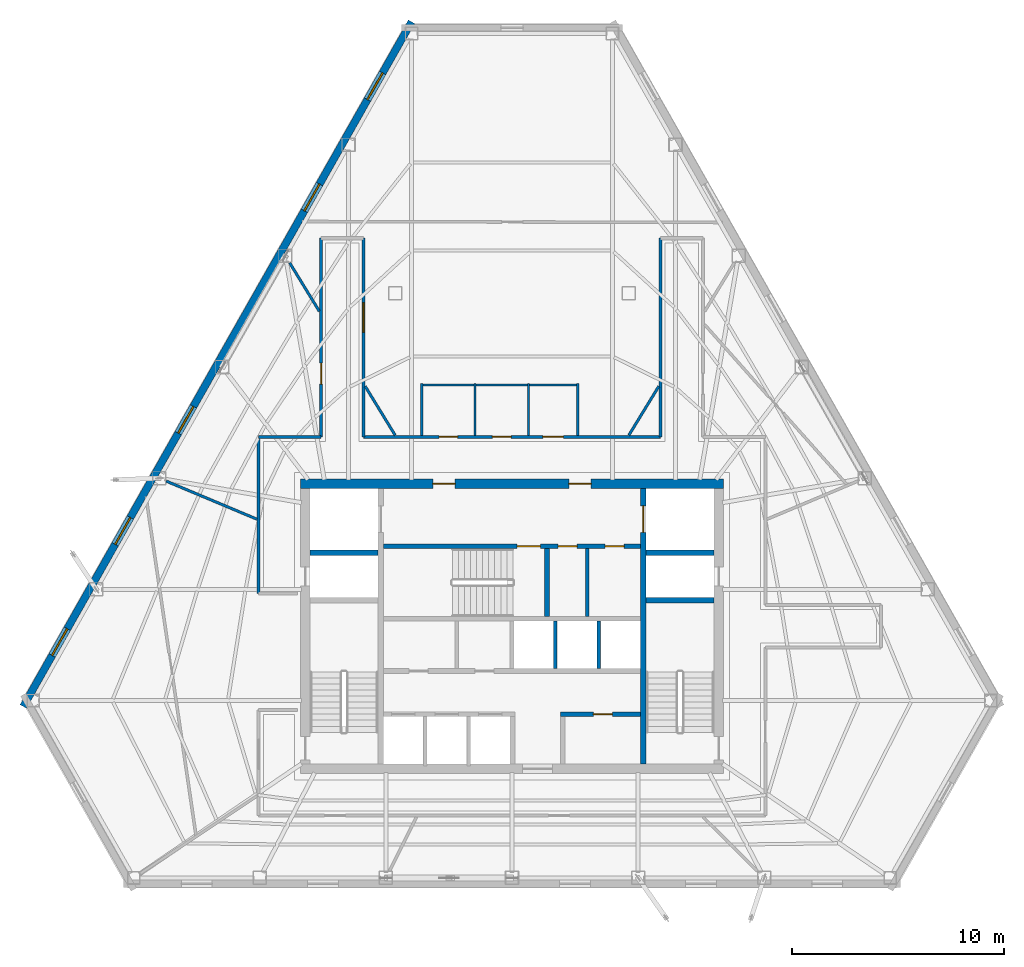
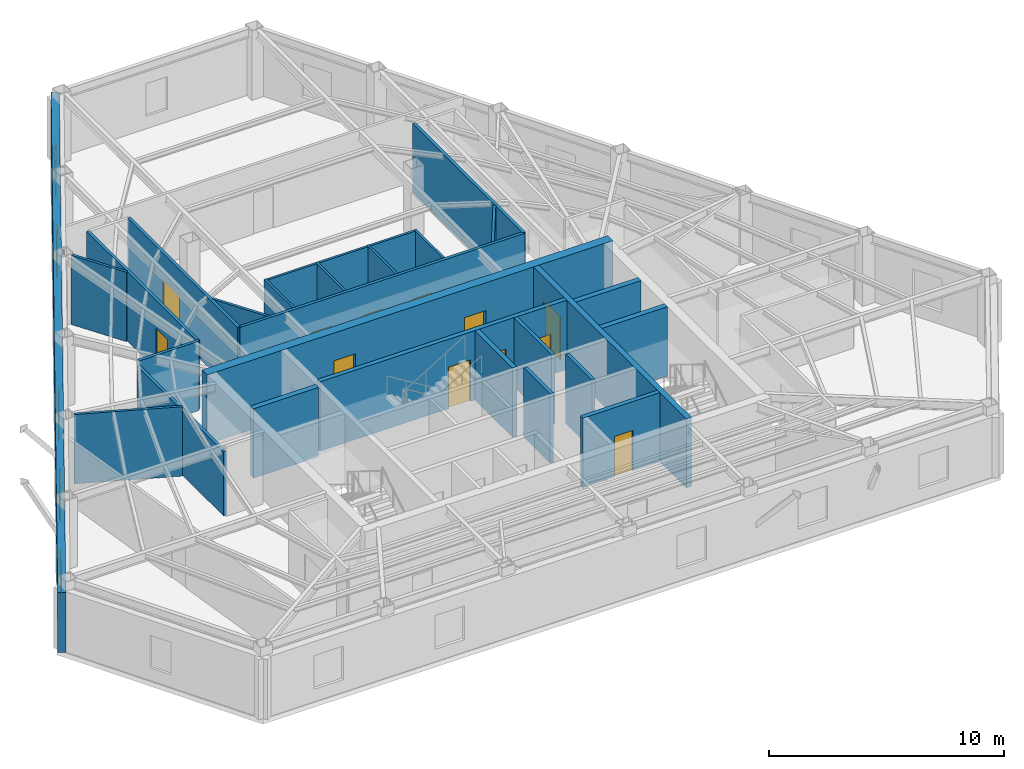
# One storey, part 8 of 11: 27 walls, 12 doors, 5 windows, 17 openings.
"""IFC4 building model written with IfcOpenShell, lengths in metres."""

from ifc_helpers import new_model, si_unit, direction, frame, frame_2d, origin, place, context, subcontext, project, spatial, rectangle, extrude, material, layer, layer_set, type_object, element, fill, save


model = new_model("IFC4")

# Units and contexts
model_context = context("Model", 3, precision=1e-05, world=origin(), true_north=direction((0.0, 1.0)))
body_context = subcontext(model_context, "Body", "Model", "MODEL_VIEW")
ifc_project = project(units=[si_unit("LENGTHUNIT", "METRE"), si_unit("AREAUNIT", "SQUARE_METRE"), si_unit("VOLUMEUNIT", "CUBIC_METRE"), si_unit("PLANEANGLEUNIT", "RADIAN"), si_unit("MASSUNIT", "GRAM", prefix="KILO")], contexts=[model_context])

# Site, building, storey
site_placement = place(None, origin())
site = spatial("IfcSite", under=ifc_project, at=site_placement, CompositionType="ELEMENT")
building_placement = place(site_placement, origin())
building = spatial("IfcBuilding", under=site, at=building_placement, Name="Kavelnor Concourse Tower", CompositionType="ELEMENT")
storey_placement = place(building_placement, frame((0.0, 0.0, 165.0)))
storey = spatial("IfcBuildingStorey", under=building, at=storey_placement, Name="L41", CompositionType="ELEMENT", Elevation=165.0)

# Wall, openings, doors
ifc_material_1 = material(Name="Concrete C50/60", Category="concrete")
ifc_layer_1 = layer(ifc_material_1, 0.43994140625, Name="Concrete C50/60")
ifc_layer_set_1 = layer_set([ifc_layer_1], Name="Concrete C50/60")
wall_type_1 = type_object("IfcWallType", Name="WL-CORE-Z3-440", PredefinedType="SOLIDWALL", material=ifc_layer_set_1)
wall_1_placement = place(storey_placement, frame((28.0400390625, 22.820068359375, 0.0), z_axis=(0.0, 0.0, 1.0), x_axis=(1.0, 0.0, 0.0)))
wall_1 = element("IfcWall", 1, at=wall_1_placement, inside=storey, type_object=wall_type_1, Name="L41 Central Core North Shear Wall", PredefinedType="SOLIDWALL", context=body_context, shape_type="SweptSolid", body=[
    extrude(rectangle(XDim=19.919921875, YDim=0.43994140625, at=frame_2d((9.9599609375, 0.0))), origin(), (0.0, 0.0, 1.0), 3.60009765625),
])
opening_1_placement = place(wall_1_placement, frame((6.235107421875, 0.0, 0.0)))
opening_1 = element("IfcOpeningElement", 2, at=opening_1_placement, cuts=wall_1, Name="Opening FD-105", PredefinedType="OPENING", context=body_context, shape_type="SweptSolid", body=[
    extrude(rectangle(XDim=1.050048828125, YDim=2.14990234375, at=frame_2d((0.52490234375, 1.074951171875))), frame((0.0, 0.22998046875, 0.0), z_axis=(0.0, -1.0, 0.0), x_axis=(1.0, 0.0, 0.0)), (0.0, 0.0, 1.0), 0.4599609375),
])
opening_2_placement = place(wall_1_placement, frame((12.635009765625, 0.0, 0.0)))
opening_2 = element("IfcOpeningElement", 3, at=opening_2_placement, cuts=wall_1, Name="Opening FD-105", PredefinedType="OPENING", context=body_context, shape_type="SweptSolid", body=[
    extrude(rectangle(XDim=1.050048828125, YDim=2.14990234375, at=frame_2d((0.52490234375, 1.074951171875))), frame((0.0, 0.22998046875, 0.0), z_axis=(0.0, -1.0, 0.0), x_axis=(1.0, 0.0, 0.0)), (0.0, 0.0, 1.0), 0.4599609375),
])
ifc_material_2 = material(Name="Steel Grade 350", Category="steel")
door_type_1 = type_object("IfcDoorType", Name="DR-LOBBY-FIRE-1050", OperationType="NOTDEFINED", PredefinedType="DOOR", material=ifc_material_2)
door_1_placement = place(opening_1_placement, origin())
door_1 = element("IfcDoor", 4, at=door_1_placement, inside=storey, type_object=door_type_1, Name="L41 Emergency Lift Lobby West Door", OperationType="SINGLE_SWING_LEFT", OverallHeight=2.14990234375, OverallWidth=1.050048828125, PredefinedType="DOOR", context=body_context, shape_type="SweptSolid", body=[
    extrude(rectangle(XDim=1.050048828125, YDim=2.14990234375, at=frame_2d((0.52490234375, 1.074951171875))), frame((0.0, 0.02490234375, 0.0), z_axis=(0.0, -1.0, 0.0), x_axis=(1.0, 0.0, 0.0)), (0.0, 0.0, 1.0), 0.050048828125),
])
fill(opening_1, door_1)
door_2_placement = place(opening_2_placement, origin())
door_2 = element("IfcDoor", 5, at=door_2_placement, inside=storey, type_object=door_type_1, Name="L41 Emergency Lift Lobby East Door", OperationType="SINGLE_SWING_RIGHT", OverallHeight=2.14990234375, OverallWidth=1.050048828125, PredefinedType="DOOR", context=body_context, shape_type="SweptSolid", body=[
    extrude(rectangle(XDim=1.050048828125, YDim=2.14990234375, at=frame_2d((0.52490234375, 1.074951171875))), frame((0.0, 0.02490234375, 0.0), z_axis=(0.0, -1.0, 0.0), x_axis=(1.0, 0.0, 0.0)), (0.0, 0.0, 1.0), 0.050048828125),
])
fill(opening_2, door_2)

# Wall, openings, windows
ifc_material_3 = material(Name="Red-ochre clay face brick masonry", Category="masonry")
ifc_layer_2 = layer(ifc_material_3, 0.35009765625, Name="Red-ochre clay face brick masonry")
ifc_layer_set_2 = layer_set([ifc_layer_2], Name="Red-ochre clay face brick masonry")
wall_type_2 = type_object("IfcWallType", Name="WL-EXT-RED-BRICK-PIER-350", PredefinedType="STANDARD", material=ifc_layer_set_2)
wall_2_placement = place(storey_placement, frame((14.964111328125, 12.319091796875, 0.0), z_axis=(0.0, 0.0, 1.0), x_axis=(0.493387150796, 0.869809817966, 0.0)))
wall_2 = element("IfcWall", 6, at=wall_2_placement, inside=storey, type_object=wall_type_2, Name="L41 Exterior Brick Facade Wall E1", PredefinedType="STANDARD", context=body_context, shape_type="SweptSolid", body=[
    extrude(rectangle(XDim=37.095703125, YDim=0.35009765625, at=frame_2d((18.5478515625, 0.0))), origin(), (0.0, 0.0, 1.0), 3.132080078125),
])
opening_3_placement = place(wall_2_placement, frame((32.87939453125, 0.0, 0.64990234375)))
opening_3 = element("IfcOpeningElement", 7, at=opening_3_placement, cuts=wall_2, Name="Opening W-03", PredefinedType="OPENING", context=body_context, shape_type="SweptSolid", body=[
    extrude(rectangle(XDim=1.449951171875, YDim=1.75, at=frame_2d((0.72509765625, 0.875))), frame((0.0, 0.18505859375, 0.0), z_axis=(0.0, -1.0, 0.0), x_axis=(1.0, 0.0, 0.0)), (0.0, 0.0, 1.0), 0.3701171875),
])
opening_4_placement = place(wall_2_placement, frame((26.855224609375, 0.0, 0.64990234375)))
opening_4 = element("IfcOpeningElement", 8, at=opening_4_placement, cuts=wall_2, Name="Opening W-03", PredefinedType="OPENING", context=body_context, shape_type="SweptSolid", body=[
    extrude(rectangle(XDim=1.449951171875, YDim=1.75, at=frame_2d((0.72509765625, 0.875))), frame((0.0, 0.18505859375, 0.0), z_axis=(0.0, -1.0, 0.0), x_axis=(1.0, 0.0, 0.0)), (0.0, 0.0, 1.0), 0.3701171875),
])
opening_5_placement = place(wall_2_placement, frame((14.80712890625, 0.0, 0.64990234375)))
opening_5 = element("IfcOpeningElement", 9, at=opening_5_placement, cuts=wall_2, Name="Opening W-03", PredefinedType="OPENING", context=body_context, shape_type="SweptSolid", body=[
    extrude(rectangle(XDim=1.449951171875, YDim=1.75, at=frame_2d((0.72509765625, 0.875))), frame((0.0, 0.18505859375, 0.0), z_axis=(0.0, -1.0, 0.0), x_axis=(1.0, 0.0, 0.0)), (0.0, 0.0, 1.0), 0.3701171875),
])
opening_6_placement = place(wall_2_placement, frame((8.783203125, 0.0, 0.64990234375)))
opening_6 = element("IfcOpeningElement", 10, at=opening_6_placement, cuts=wall_2, Name="Opening W-03", PredefinedType="OPENING", context=body_context, shape_type="SweptSolid", body=[
    extrude(rectangle(XDim=1.449951171875, YDim=1.75, at=frame_2d((0.72509765625, 0.875))), frame((0.0, 0.18505859375, 0.0), z_axis=(0.0, -1.0, 0.0), x_axis=(1.0, 0.0, 0.0)), (0.0, 0.0, 1.0), 0.3701171875),
])
opening_7_placement = place(wall_2_placement, frame((2.75927734375, 0.0, 0.64990234375)))
opening_7 = element("IfcOpeningElement", 11, at=opening_7_placement, cuts=wall_2, Name="Opening W-03", PredefinedType="OPENING", context=body_context, shape_type="SweptSolid", body=[
    extrude(rectangle(XDim=1.449951171875, YDim=1.75, at=frame_2d((0.72509765625, 0.875))), frame((0.0, 0.18505859375, 0.0), z_axis=(0.0, -1.0, 0.0), x_axis=(1.0, 0.0, 0.0)), (0.0, 0.0, 1.0), 0.3701171875),
])
ifc_material_4 = material(Name="Double low-E argon insulated glazing", Category="glass")
window_type = type_object("IfcWindowType", Name="WIN-PIER-Z3-1500", PartitioningType="SINGLE_PANEL", PredefinedType="WINDOW", material=ifc_material_4)
window_1_placement = place(opening_3_placement, origin())
window_1 = element("IfcWindow", 12, at=window_1_placement, inside=storey, type_object=window_type, Name="L41 Deep-Set Brick Pier Window F0-B0", OverallHeight=1.75, OverallWidth=1.449951171875, PartitioningType="SINGLE_PANEL", PredefinedType="WINDOW", context=body_context, shape_type="SweptSolid", body=[
    extrude(rectangle(XDim=1.449951171875, YDim=1.75, at=frame_2d((0.72509765625, 0.875))), frame((0.0, 0.030029296875, 0.0), z_axis=(0.0, -1.0, 0.0), x_axis=(1.0, 0.0, 0.0)), (0.0, 0.0, 1.0), 0.06005859375),
])
fill(opening_3, window_1)
window_2_placement = place(opening_4_placement, origin())
window_2 = element("IfcWindow", 13, at=window_2_placement, inside=storey, type_object=window_type, Name="L41 Deep-Set Brick Pier Window F0-B1", OverallHeight=1.75, OverallWidth=1.449951171875, PartitioningType="SINGLE_PANEL", PredefinedType="WINDOW", context=body_context, shape_type="SweptSolid", body=[
    extrude(rectangle(XDim=1.449951171875, YDim=1.75, at=frame_2d((0.72509765625, 0.875))), frame((0.0, 0.030029296875, 0.0), z_axis=(0.0, -1.0, 0.0), x_axis=(1.0, 0.0, 0.0)), (0.0, 0.0, 1.0), 0.06005859375),
])
fill(opening_4, window_2)
window_3_placement = place(opening_5_placement, origin())
window_3 = element("IfcWindow", 14, at=window_3_placement, inside=storey, type_object=window_type, Name="L41 Deep-Set Brick Pier Window F0-B3", OverallHeight=1.75, OverallWidth=1.449951171875, PartitioningType="SINGLE_PANEL", PredefinedType="WINDOW", context=body_context, shape_type="SweptSolid", body=[
    extrude(rectangle(XDim=1.449951171875, YDim=1.75, at=frame_2d((0.72509765625, 0.875))), frame((0.0, 0.030029296875, 0.0), z_axis=(0.0, -1.0, 0.0), x_axis=(1.0, 0.0, 0.0)), (0.0, 0.0, 1.0), 0.06005859375),
])
fill(opening_5, window_3)
window_4_placement = place(opening_6_placement, origin())
window_4 = element("IfcWindow", 15, at=window_4_placement, inside=storey, type_object=window_type, Name="L41 Deep-Set Brick Pier Window F0-B4", OverallHeight=1.75, OverallWidth=1.449951171875, PartitioningType="SINGLE_PANEL", PredefinedType="WINDOW", context=body_context, shape_type="SweptSolid", body=[
    extrude(rectangle(XDim=1.449951171875, YDim=1.75, at=frame_2d((0.72509765625, 0.875))), frame((0.0, 0.030029296875, 0.0), z_axis=(0.0, -1.0, 0.0), x_axis=(1.0, 0.0, 0.0)), (0.0, 0.0, 1.0), 0.06005859375),
])
fill(opening_6, window_4)
window_5_placement = place(opening_7_placement, origin())
window_5 = element("IfcWindow", 16, at=window_5_placement, inside=storey, type_object=window_type, Name="L41 Deep-Set Brick Pier Window F0-B5", OverallHeight=1.75, OverallWidth=1.449951171875, PartitioningType="SINGLE_PANEL", PredefinedType="WINDOW", context=body_context, shape_type="SweptSolid", body=[
    extrude(rectangle(XDim=1.449951171875, YDim=1.75, at=frame_2d((0.72509765625, 0.875))), frame((0.0, 0.030029296875, 0.0), z_axis=(0.0, -1.0, 0.0), x_axis=(1.0, 0.0, 0.0)), (0.0, 0.0, 1.0), 0.06005859375),
])
fill(opening_7, window_5)

# Walls
ifc_material_5 = material(Name="Gypsum plasterboard on light-gauge steel studs", Category="steel")
ifc_layer_3 = layer(ifc_material_5, 0.14501953125, Name="Gypsum plasterboard on light-gauge steel studs")
ifc_layer_set_3 = layer_set([ifc_layer_3], Name="Gypsum plasterboard on light-gauge steel studs")
wall_type_3 = type_object("IfcWallType", Name="WL-INT-CORR-145", PredefinedType="PARTITIONING", material=ifc_layer_set_3)
wall_3_placement = place(storey_placement, frame((26.06005859375, 17.64990234375, 0.0), z_axis=(0.0, 0.0, 1.0), x_axis=(0.0, 1.0, 0.0)))
element("IfcWall", 17, at=wall_3_placement, inside=storey, type_object=wall_type_3, Name="L41 Corridor Wall WL-L41-CR-02", PredefinedType="PARTITIONING", context=body_context, shape_type="SweptSolid", body=[
    extrude(rectangle(XDim=7.3701171875, YDim=0.14501953125, at=frame_2d((3.68505859375, 0.0))), origin(), (0.0, 0.0, 1.0), 3.339111328125),
])
wall_4_placement = place(storey_placement, frame((26.06005859375, 25.02001953125, 0.0), z_axis=(0.0, 0.0, 1.0), x_axis=(1.0, 0.0, 0.0)))
element("IfcWall", 18, at=wall_4_placement, inside=storey, type_object=wall_type_3, Name="L41 Corridor Wall WL-L41-CR-03", PredefinedType="PARTITIONING", context=body_context, shape_type="SweptSolid", body=[
    extrude(rectangle(XDim=2.93994140625, YDim=0.14501953125, at=frame_2d((1.469970703125, 0.0))), origin(), (0.0, 0.0, 1.0), 3.60009765625),
])

# Wall, opening, door
wall_5_placement = place(storey_placement, frame((29.0, 25.02001953125, 0.0), z_axis=(0.0, 0.0, 1.0), x_axis=(0.0, 1.0, 0.0)))
wall_5 = element("IfcWall", 19, at=wall_5_placement, inside=storey, type_object=wall_type_3, Name="L41 Corridor Wall WL-L41-CR-04", PredefinedType="PARTITIONING", context=body_context, shape_type="SweptSolid", body=[
    extrude(rectangle(XDim=9.3671875, YDim=0.14501953125, at=frame_2d((4.68359375, 0.0))), origin(), (0.0, 0.0, 1.0), 3.60009765625),
])
opening_8_placement = place(wall_5_placement, frame((2.49560546875, 0.0, 0.0)))
opening_8 = element("IfcOpeningElement", 20, at=opening_8_placement, cuts=wall_5, Name="Opening OD-098", PredefinedType="OPENING", context=body_context, shape_type="SweptSolid", body=[
    extrude(rectangle(XDim=0.97998046875, YDim=2.14990234375, at=frame_2d((0.489990234375, 1.074951171875))), frame((0.0, 0.08251953125, 0.0), z_axis=(0.0, -1.0, 0.0), x_axis=(1.0, 0.0, 0.0)), (0.0, 0.0, 1.0), 0.1650390625),
])
ifc_material_6 = material(Name="Solid-core hardwood timber", Category="wood")
door_type_2 = type_object("IfcDoorType", Name="DR-OFFICE-980", OperationType="NOTDEFINED", PredefinedType="DOOR", material=ifc_material_6)
door_3_placement = place(opening_8_placement, origin())
door_3 = element("IfcDoor", 21, at=door_3_placement, inside=storey, type_object=door_type_2, Name="L41 Architectural Design Studio 05 Door", OperationType="SINGLE_SWING_LEFT", OverallHeight=2.14990234375, OverallWidth=0.97998046875, PredefinedType="DOOR", context=body_context, shape_type="SweptSolid", body=[
    extrude(rectangle(XDim=0.97998046875, YDim=2.14990234375, at=frame_2d((0.489990234375, 1.074951171875))), frame((0.0, 0.02490234375, 0.0), z_axis=(0.0, -1.0, 0.0), x_axis=(1.0, 0.0, 0.0)), (0.0, 0.0, 1.0), 0.050048828125),
])
fill(opening_8, door_3)

wall_6_placement = place(storey_placement, frame((31.0, 34.38720703125, 0.0), z_axis=(0.0, 0.0, 1.0), x_axis=(0.0, -1.0, 0.0)))
wall_6 = element("IfcWall", 22, at=wall_6_placement, inside=storey, type_object=wall_type_3, Name="L41 Corridor Wall WL-L41-CR-06", PredefinedType="PARTITIONING", context=body_context, shape_type="SweptSolid", body=[
    extrude(rectangle(XDim=9.3671875, YDim=0.14501953125, at=frame_2d((4.68359375, 0.0))), origin(), (0.0, 0.0, 1.0), 3.60009765625),
])
opening_9_placement = place(wall_6_placement, frame((3.033203125, 0.0, 0.0)))
opening_9 = element("IfcOpeningElement", 23, at=opening_9_placement, cuts=wall_6, Name="Opening SD-140", PredefinedType="OPENING", context=body_context, shape_type="SweptSolid", body=[
    extrude(rectangle(XDim=1.39990234375, YDim=2.199951171875, at=frame_2d((0.699951171875, 1.10009765625))), frame((0.0, 0.08251953125, 0.0), z_axis=(0.0, -1.0, 0.0), x_axis=(1.0, 0.0, 0.0)), (0.0, 0.0, 1.0), 0.1650390625),
])
door_type_3 = type_object("IfcDoorType", Name="DR-SUITE-ENTRY-1400", OperationType="NOTDEFINED", PredefinedType="DOOR", material=ifc_material_6)
door_4_placement = place(opening_9_placement, origin())
door_4 = element("IfcDoor", 24, at=door_4_placement, inside=storey, type_object=door_type_3, Name="L41 Client Concierge 03 Door", OperationType="SINGLE_SWING_LEFT", OverallHeight=2.199951171875, OverallWidth=1.39990234375, PredefinedType="DOOR", context=body_context, shape_type="SweptSolid", body=[
    extrude(rectangle(XDim=1.39990234375, YDim=2.199951171875, at=frame_2d((0.699951171875, 1.10009765625))), frame((0.0, 0.02490234375, 0.0), z_axis=(0.0, -1.0, 0.0), x_axis=(1.0, 0.0, 0.0)), (0.0, 0.0, 1.0), 0.050048828125),
])
fill(opening_9, door_4)

# Wall, openings, doors
wall_7_placement = place(storey_placement, frame((31.0, 25.02001953125, 0.0), z_axis=(0.0, 0.0, 1.0), x_axis=(1.0, 0.0, 0.0)))
wall_7 = element("IfcWall", 25, at=wall_7_placement, inside=storey, type_object=wall_type_3, Name="L41 Corridor Wall WL-L41-CR-07", PredefinedType="PARTITIONING", context=body_context, shape_type="SweptSolid", body=[
    extrude(rectangle(XDim=14.0, YDim=0.14501953125, at=frame_2d((7.0, 0.0))), origin(), (0.0, 0.0, 1.0), 3.60009765625),
])
opening_10_placement = place(wall_7_placement, frame((3.56005859375, 0.0, 0.0)))
opening_10 = element("IfcOpeningElement", 26, at=opening_10_placement, cuts=wall_7, Name="Opening WD-088", PredefinedType="OPENING", context=body_context, shape_type="SweptSolid", body=[
    extrude(rectangle(XDim=0.8798828125, YDim=2.10009765625, at=frame_2d((0.43994140625, 1.050048828125))), frame((0.0, 0.08251953125, 0.0), z_axis=(0.0, -1.0, 0.0), x_axis=(1.0, 0.0, 0.0)), (0.0, 0.0, 1.0), 0.1650390625),
])
opening_11_placement = place(wall_7_placement, frame((6.080078125, 0.0, 0.0)))
opening_11 = element("IfcOpeningElement", 27, at=opening_11_placement, cuts=wall_7, Name="Opening WD-088", PredefinedType="OPENING", context=body_context, shape_type="SweptSolid", body=[
    extrude(rectangle(XDim=0.8798828125, YDim=2.10009765625, at=frame_2d((0.43994140625, 1.050048828125))), frame((0.0, 0.08251953125, 0.0), z_axis=(0.0, -1.0, 0.0), x_axis=(1.0, 0.0, 0.0)), (0.0, 0.0, 1.0), 0.1650390625),
])
opening_12_placement = place(wall_7_placement, frame((8.4599609375, 0.0, 0.0)))
opening_12 = element("IfcOpeningElement", 28, at=opening_12_placement, cuts=wall_7, Name="Opening WD-096", PredefinedType="OPENING", context=body_context, shape_type="SweptSolid", body=[
    extrude(rectangle(XDim=0.9599609375, YDim=2.10009765625, at=frame_2d((0.47998046875, 1.050048828125))), frame((0.0, 0.08251953125, 0.0), z_axis=(0.0, -1.0, 0.0), x_axis=(1.0, 0.0, 0.0)), (0.0, 0.0, 1.0), 0.1650390625),
])
door_type_4 = type_object("IfcDoorType", Name="DR-WC-ACC-960", OperationType="NOTDEFINED", PredefinedType="DOOR", material=ifc_material_6)
door_5_placement = place(opening_12_placement, origin())
door_5 = element("IfcDoor", 29, at=door_5_placement, inside=storey, type_object=door_type_4, Name="L41 Accessible WC Door", OperationType="SINGLE_SWING_RIGHT", OverallHeight=2.10009765625, OverallWidth=0.9599609375, PredefinedType="DOOR", context=body_context, shape_type="SweptSolid", body=[
    extrude(rectangle(XDim=0.9599609375, YDim=2.10009765625, at=frame_2d((0.47998046875, 1.050048828125))), frame((0.0, 0.02490234375, 0.0), z_axis=(0.0, -1.0, 0.0), x_axis=(1.0, 0.0, 0.0)), (0.0, 0.0, 1.0), 0.050048828125),
])
fill(opening_12, door_5)
door_type_5 = type_object("IfcDoorType", Name="DR-WC-STD-880", OperationType="NOTDEFINED", PredefinedType="DOOR", material=ifc_material_6)
door_6_placement = place(opening_10_placement, origin())
door_6 = element("IfcDoor", 30, at=door_6_placement, inside=storey, type_object=door_type_5, Name="L41 Male WC Door", OperationType="SINGLE_SWING_RIGHT", OverallHeight=2.10009765625, OverallWidth=0.8798828125, PredefinedType="DOOR", context=body_context, shape_type="SweptSolid", body=[
    extrude(rectangle(XDim=0.8798828125, YDim=2.10009765625, at=frame_2d((0.43994140625, 1.050048828125))), frame((0.0, 0.02490234375, 0.0), z_axis=(0.0, -1.0, 0.0), x_axis=(1.0, 0.0, 0.0)), (0.0, 0.0, 1.0), 0.050048828125),
])
fill(opening_10, door_6)
door_7_placement = place(opening_11_placement, origin())
door_7 = element("IfcDoor", 31, at=door_7_placement, inside=storey, type_object=door_type_5, Name="L41 Female WC Door", OperationType="SINGLE_SWING_LEFT", OverallHeight=2.10009765625, OverallWidth=0.8798828125, PredefinedType="DOOR", context=body_context, shape_type="SweptSolid", body=[
    extrude(rectangle(XDim=0.8798828125, YDim=2.10009765625, at=frame_2d((0.43994140625, 1.050048828125))), frame((0.0, 0.02490234375, 0.0), z_axis=(0.0, -1.0, 0.0), x_axis=(1.0, 0.0, 0.0)), (0.0, 0.0, 1.0), 0.050048828125),
])
fill(opening_11, door_7)

# Walls
wall_8_placement = place(storey_placement, frame((45.0, 25.02001953125, 0.0), z_axis=(0.0, 0.0, 1.0), x_axis=(0.0, 1.0, 0.0)))
element("IfcWall", 32, at=wall_8_placement, inside=storey, type_object=wall_type_3, Name="L41 Corridor Wall WL-L41-CR-08", PredefinedType="PARTITIONING", context=body_context, shape_type="SweptSolid", body=[
    extrude(rectangle(XDim=9.3671875, YDim=0.14501953125, at=frame_2d((4.68359375, 0.0))), origin(), (0.0, 0.0, 1.0), 3.60009765625),
])
ifc_layer_4 = layer(ifc_material_5, 0.1650390625, Name="Gypsum plasterboard on light-gauge steel studs")
ifc_layer_set_4 = layer_set([ifc_layer_4], Name="Gypsum plasterboard on light-gauge steel studs")
wall_type_4 = type_object("IfcWallType", Name="WL-INT-FIRE-165", PredefinedType="PARTITIONING", material=ifc_layer_set_4)
for number, where, z_axis, x_axis, name in (
    (33, (40.050048828125, 14.10009765625, 0.0), (0.0, 0.0, 1.0), (0.0, 1.0, 0.0), "L41 Lift Shaft Divider LP4"),
    (34, (42.10009765625, 14.10009765625, 0.0), (0.0, 0.0, 1.0), (0.0, 1.0, 0.0), "L41 Lift Shaft Divider LP5"),
):
    element("IfcWall", number, at=place(storey_placement, frame(where, z_axis=z_axis, x_axis=x_axis)), inside=storey, type_object=wall_type_4, Name=name, PredefinedType="PARTITIONING", context=body_context, shape_type="SweptSolid", body=[
        extrude(rectangle(XDim=2.239990234375, YDim=0.1650390625, at=frame_2d((1.1201171875, 0.0))), origin(), (0.0, 0.0, 1.0), 3.60009765625),
    ])
wall_9_placement = place(storey_placement, frame((41.550048828125, 16.56005859375, 0.0), z_axis=(0.0, 0.0, 1.0), x_axis=(0.0, 1.0, 0.0)))
element("IfcWall", 35, at=wall_9_placement, inside=storey, type_object=wall_type_4, Name="L41 Core North Support Divider", PredefinedType="PARTITIONING", context=body_context, shape_type="SweptSolid", body=[
    extrude(rectangle(XDim=3.199951171875, YDim=0.1650390625, at=frame_2d((1.60009765625, 0.0))), origin(), (0.0, 0.0, 1.0), 3.60009765625),
])
ifc_layer_5 = layer(ifc_material_5, 0.125, Name="Gypsum plasterboard on light-gauge steel studs")
ifc_layer_set_5 = layer_set([ifc_layer_5], Name="Gypsum plasterboard on light-gauge steel studs")
wall_type_5 = type_object("IfcWallType", Name="WL-INT-SUITE-125", PredefinedType="PARTITIONING", material=ifc_layer_set_5)
for number, where, z_axis, x_axis, name in (
    (36, (43.506591796875, 25.1005859375, 0.0), (0.0, 0.0, 1.0), (0.521876732826, 0.853020911664, 0.0), "L41 Radial Suite Partition 02"),
    (37, (32.493408203125, 25.1005859375, 0.0), (0.0, 0.0, 1.0), (-0.521876732826, 0.853020911664, 0.0), "L41 Radial Suite Partition 03"),
):
    element("IfcWall", number, at=place(storey_placement, frame(where, z_axis=z_axis, x_axis=x_axis)), inside=storey, type_object=wall_type_5, Name=name, PredefinedType="PARTITIONING", context=body_context, shape_type="SweptSolid", body=[
        extrude(rectangle(XDim=2.707275390625, YDim=0.125, at=frame_2d((1.353515625, 0.0))), origin(), (0.0, 0.0, 1.0), 3.60009765625),
    ])
wall_10_placement = place(storey_placement, frame((28.91943359375, 30.942138671875, 0.0), z_axis=(0.0, 0.0, 1.0), x_axis=(-0.52187383072, 0.85302268716, 0.0)))
element("IfcWall", 38, at=wall_10_placement, inside=storey, type_object=wall_type_5, Name="L41 Radial Suite Partition 03", PredefinedType="PARTITIONING", context=body_context, shape_type="SweptSolid", body=[
    extrude(rectangle(XDim=2.67919921875, YDim=0.125, at=frame_2d((1.339599609375, 0.0))), origin(), (0.0, 0.0, 1.0), 3.60009765625),
])
wall_11_placement = place(storey_placement, frame((25.9794921875, 21.144287109375, 0.0), z_axis=(0.0, 0.0, 1.0), x_axis=(-0.922095611861, 0.38696212035, 0.0)))
element("IfcWall", 39, at=wall_11_placement, inside=storey, type_object=wall_type_5, Name="L41 Radial Suite Partition 04", PredefinedType="PARTITIONING", context=body_context, shape_type="SweptSolid", body=[
    extrude(rectangle(XDim=4.63671875, YDim=0.125, at=frame_2d((2.318359375, 0.0))), origin(), (0.0, 0.0, 1.0), 3.60009765625),
])
ifc_layer_6 = layer(ifc_material_5, 0.110107421875, Name="Gypsum plasterboard on light-gauge steel studs")
ifc_layer_set_6 = layer_set([ifc_layer_6], Name="Gypsum plasterboard on light-gauge steel studs")
wall_type_6 = type_object("IfcWallType", Name="WL-INT-WC-110", PredefinedType="PLUMBINGWALL", material=ifc_layer_set_6)
for number, where, z_axis, x_axis, name in (
    (40, (33.739990234375, 25.090087890625, 0.0), (0.0, 0.0, 1.0), (0.0, 1.0, 0.0), "L41 Sanitary Partition WL-L41-WC-W"),
    (41, (36.260009765625, 25.090087890625, 0.0), (0.0, 0.0, 1.0), (0.0, 1.0, 0.0), "L41 Sanitary Partition WL-L41-WC-D1"),
    (42, (38.780029296875, 25.090087890625, 0.0), (0.0, 0.0, 1.0), (0.0, 1.0, 0.0), "L41 Sanitary Partition WL-L41-WC-D2"),
    (43, (41.10009765625, 25.090087890625, 0.0), (0.0, 0.0, 1.0), (0.0, 1.0, 0.0), "L41 Sanitary Partition WL-L41-WC-E"),
):
    element("IfcWall", number, at=place(storey_placement, frame(where, z_axis=z_axis, x_axis=x_axis)), inside=storey, type_object=wall_type_6, Name=name, PredefinedType="PLUMBINGWALL", context=body_context, shape_type="SweptSolid", body=[
        extrude(rectangle(XDim=2.43994140625, YDim=0.110107421875, at=frame_2d((1.219970703125, 0.0))), origin(), (0.0, 0.0, 1.0), 3.60009765625),
    ])
wall_12_placement = place(storey_placement, frame((33.68994140625, 27.469970703125, 0.0), z_axis=(0.0, 0.0, 1.0), x_axis=(1.0, 0.0, 0.0)))
element("IfcWall", 44, at=wall_12_placement, inside=storey, type_object=wall_type_6, Name="L41 Sanitary Partition WL-L41-WC-N", PredefinedType="PLUMBINGWALL", context=body_context, shape_type="SweptSolid", body=[
    extrude(rectangle(XDim=7.4599609375, YDim=0.110107421875, at=frame_2d((3.72998046875, 0.0))), origin(), (0.0, 0.0, 1.0), 3.60009765625),
])

# Wall, openings, doors
ifc_layer_7 = layer(ifc_material_1, 0.219970703125, Name="Concrete C50/60")
ifc_layer_set_7 = layer_set([ifc_layer_7], Name="Concrete C50/60")
wall_type_7 = type_object("IfcWallType", Name="WL-SHAFT-220", PredefinedType="SOLIDWALL", material=ifc_layer_set_7)
wall_13_placement = place(storey_placement, frame((31.93994140625, 19.8701171875, 0.0), z_axis=(0.0, 0.0, 1.0), x_axis=(1.0, 0.0, 0.0)))
wall_13 = element("IfcWall", 45, at=wall_13_placement, inside=storey, type_object=wall_type_7, Name="L41 Emergency Lift Lobby South Wall", PredefinedType="SOLIDWALL", context=body_context, shape_type="SweptSolid", body=[
    extrude(rectangle(XDim=12.1201171875, YDim=0.219970703125, at=frame_2d((6.06005859375, 0.0))), origin(), (0.0, 0.0, 1.0), 3.60009765625),
])
opening_13_placement = place(wall_13_placement, frame((6.300048828125, 0.0, 0.0)))
opening_13 = element("IfcOpeningElement", 46, at=opening_13_placement, cuts=wall_13, Name="Opening FD-110", PredefinedType="OPENING", context=body_context, shape_type="SweptSolid", body=[
    extrude(rectangle(XDim=1.10009765625, YDim=2.14990234375, at=frame_2d((0.550048828125, 1.074951171875))), frame((0.0, 0.1201171875, 0.0), z_axis=(0.0, -1.0, 0.0), x_axis=(1.0, 0.0, 0.0)), (0.0, 0.0, 1.0), 0.239990234375),
])
opening_14_placement = place(wall_13_placement, frame((8.22998046875, 0.0, 0.0)))
opening_14 = element("IfcOpeningElement", 47, at=opening_14_placement, cuts=wall_13, Name="Opening FD-090", PredefinedType="OPENING", context=body_context, shape_type="SweptSolid", body=[
    extrude(rectangle(XDim=0.89990234375, YDim=2.10009765625, at=frame_2d((0.449951171875, 1.050048828125))), frame((0.0, 0.1201171875, 0.0), z_axis=(0.0, -1.0, 0.0), x_axis=(1.0, 0.0, 0.0)), (0.0, 0.0, 1.0), 0.239990234375),
])
opening_15_placement = place(wall_13_placement, frame((10.449951171875, 0.0, 0.0)))
opening_15 = element("IfcOpeningElement", 48, at=opening_15_placement, cuts=wall_13, Name="Opening FD-090", PredefinedType="OPENING", context=body_context, shape_type="SweptSolid", body=[
    extrude(rectangle(XDim=0.89990234375, YDim=2.10009765625, at=frame_2d((0.449951171875, 1.050048828125))), frame((0.0, 0.1201171875, 0.0), z_axis=(0.0, -1.0, 0.0), x_axis=(1.0, 0.0, 0.0)), (0.0, 0.0, 1.0), 0.239990234375),
])
door_type_6 = type_object("IfcDoorType", Name="DR-RISER-FIRE-900", OperationType="NOTDEFINED", PredefinedType="DOOR", material=ifc_material_2)
door_8_placement = place(opening_14_placement, origin())
door_8 = element("IfcDoor", 49, at=door_8_placement, inside=storey, type_object=door_type_6, Name="L41 Telecom Room Door", OperationType="SINGLE_SWING_LEFT", OverallHeight=2.10009765625, OverallWidth=0.89990234375, PredefinedType="DOOR", context=body_context, shape_type="SweptSolid", body=[
    extrude(rectangle(XDim=0.89990234375, YDim=2.10009765625, at=frame_2d((0.449951171875, 1.050048828125))), frame((0.0, 0.02490234375, 0.0), z_axis=(0.0, -1.0, 0.0), x_axis=(1.0, 0.0, 0.0)), (0.0, 0.0, 1.0), 0.050048828125),
])
fill(opening_14, door_8)
door_9_placement = place(opening_15_placement, origin())
door_9 = element("IfcDoor", 50, at=door_9_placement, inside=storey, type_object=door_type_6, Name="L41 Janitor Store Door", OperationType="SINGLE_SWING_RIGHT", OverallHeight=2.10009765625, OverallWidth=0.89990234375, PredefinedType="DOOR", context=body_context, shape_type="SweptSolid", body=[
    extrude(rectangle(XDim=0.89990234375, YDim=2.10009765625, at=frame_2d((0.449951171875, 1.050048828125))), frame((0.0, 0.02490234375, 0.0), z_axis=(0.0, -1.0, 0.0), x_axis=(1.0, 0.0, 0.0)), (0.0, 0.0, 1.0), 0.050048828125),
])
fill(opening_15, door_9)
door_type_7 = type_object("IfcDoorType", Name="DR-STAIR-FIRE-1100", OperationType="NOTDEFINED", PredefinedType="DOOR", material=ifc_material_2)
door_10_placement = place(opening_13_placement, origin())
door_10 = element("IfcDoor", 51, at=door_10_placement, inside=storey, type_object=door_type_7, Name="L41 Stair ST3 Fire Door", OperationType="SINGLE_SWING_LEFT", OverallHeight=2.14990234375, OverallWidth=1.10009765625, PredefinedType="DOOR", context=body_context, shape_type="SweptSolid", body=[
    extrude(rectangle(XDim=1.10009765625, YDim=2.14990234375, at=frame_2d((0.550048828125, 1.074951171875))), frame((0.0, 0.02490234375, 0.0), z_axis=(0.0, -1.0, 0.0), x_axis=(1.0, 0.0, 0.0)), (0.0, 0.0, 1.0), 0.050048828125),
])
fill(opening_13, door_10)

# Wall
wall_14_placement = place(storey_placement, frame((39.64990234375, 16.56005859375, 0.0), z_axis=(0.0, 0.0, 1.0), x_axis=(0.0, 1.0, 0.0)))
element("IfcWall", 52, at=wall_14_placement, inside=storey, type_object=wall_type_7, Name="L41 Stair ST3 East Core Wall", PredefinedType="SOLIDWALL", context=body_context, shape_type="SweptSolid", body=[
    extrude(rectangle(XDim=3.199951171875, YDim=0.219970703125, at=frame_2d((1.60009765625, 0.0))), origin(), (0.0, 0.0, 1.0), 3.60009765625),
])

# Wall, opening, door
wall_15_placement = place(storey_placement, frame((40.280029296875, 11.949951171875, 0.0), z_axis=(0.0, 0.0, 1.0), x_axis=(1.0, 0.0, 0.0)))
wall_15 = element("IfcWall", 53, at=wall_15_placement, inside=storey, type_object=wall_type_7, Name="L41 Core South Support North Wall", PredefinedType="SOLIDWALL", context=body_context, shape_type="SweptSolid", body=[
    extrude(rectangle(XDim=3.780029296875, YDim=0.219970703125, at=frame_2d((1.89013671875, 0.0))), origin(), (0.0, 0.0, 1.0), 3.60009765625),
])
opening_16_placement = place(wall_15_placement, frame((1.550048828125, 0.0, 0.0)))
opening_16 = element("IfcOpeningElement", 54, at=opening_16_placement, cuts=wall_15, Name="Opening FD-090", PredefinedType="OPENING", context=body_context, shape_type="SweptSolid", body=[
    extrude(rectangle(XDim=0.89990234375, YDim=2.10009765625, at=frame_2d((0.449951171875, 1.050048828125))), frame((0.0, 0.1201171875, 0.0), z_axis=(0.0, -1.0, 0.0), x_axis=(1.0, 0.0, 0.0)), (0.0, 0.0, 1.0), 0.239990234375),
])
door_11_placement = place(opening_16_placement, origin())
door_11 = element("IfcDoor", 55, at=door_11_placement, inside=storey, type_object=door_type_6, Name="L41 BMS Metering Door", OperationType="SINGLE_SWING_RIGHT", OverallHeight=2.10009765625, OverallWidth=0.89990234375, PredefinedType="DOOR", context=body_context, shape_type="SweptSolid", body=[
    extrude(rectangle(XDim=0.89990234375, YDim=2.10009765625, at=frame_2d((0.449951171875, 1.050048828125))), frame((0.0, 0.02490234375, 0.0), z_axis=(0.0, -1.0, 0.0), x_axis=(1.0, 0.0, 0.0)), (0.0, 0.0, 1.0), 0.050048828125),
])
fill(opening_16, door_11)

ifc_layer_8 = layer(ifc_material_1, 0.260009765625, Name="Concrete C50/60")
ifc_layer_set_8 = layer_set([ifc_layer_8], Name="Concrete C50/60")
wall_type_8 = type_object("IfcWallType", Name="WL-SHAFT-260", PredefinedType="SHEAR", material=ifc_layer_set_8)
wall_16_placement = place(storey_placement, frame((44.18994140625, 9.60009765625, 0.0), z_axis=(0.0, 0.0, 1.0), x_axis=(0.0, 1.0, 0.0)))
wall_16 = element("IfcWall", 56, at=wall_16_placement, inside=storey, type_object=wall_type_8, Name="L41 Core East Wing Shear Wall", PredefinedType="SHEAR", context=body_context, shape_type="SweptSolid", body=[
    extrude(rectangle(XDim=13.0, YDim=0.260009765625, at=frame_2d((6.5, 0.0))), origin(), (0.0, 0.0, 1.0), 3.60009765625),
])
opening_17_placement = place(wall_16_placement, frame((10.925048828125, 0.0, 0.0)))
opening_17 = element("IfcOpeningElement", 57, at=opening_17_placement, cuts=wall_16, Name="Opening LD-125", PredefinedType="OPENING", context=body_context, shape_type="SweptSolid", body=[
    extrude(rectangle(XDim=1.25, YDim=2.25, at=frame_2d((0.625, 1.125))), frame((0.0, 0.14013671875, 0.0), z_axis=(0.0, -1.0, 0.0), x_axis=(1.0, 0.0, 0.0)), (0.0, 0.0, 1.0), 0.280029296875),
])
door_type_8 = type_object("IfcDoorType", Name="DR-LIFT-SLIDING-1250", OperationType="NOTDEFINED", PredefinedType="DOOR", material=ifc_material_2)
door_12_placement = place(opening_17_placement, origin())
door_12 = element("IfcDoor", 58, at=door_12_placement, inside=storey, type_object=door_type_8, Name="L41 Emergency Lift FL2 Landing Door", OperationType="DOUBLE_DOOR_SLIDING", OverallHeight=2.25, OverallWidth=1.25, PredefinedType="DOOR", context=body_context, shape_type="SweptSolid", body=[
    extrude(rectangle(XDim=1.25, YDim=2.25, at=frame_2d((0.625, 1.125))), frame((0.0, 0.02490234375, 0.0), z_axis=(0.0, -1.0, 0.0), x_axis=(1.0, 0.0, 0.0)), (0.0, 0.0, 1.0), 0.050048828125),
])
fill(opening_17, door_12)

# Walls
for number, where, z_axis, x_axis, name in (
    (59, (28.47998046875, 19.570068359375, 0.0), (0.0, 0.0, 1.0), (1.0, 0.0, 0.0), "L41 Emergency Lift FL1 South Shaft Wall"),
    (60, (44.320068359375, 17.330078125, 0.0), (0.0, 0.0, 1.0), (1.0, 0.0, 0.0), "L41 Stair ST2 North Shaft Wall"),
    (61, (44.320068359375, 19.570068359375, 0.0), (0.0, 0.0, 1.0), (1.0, 0.0, 0.0), "L41 Emergency Lift FL2 South Shaft Wall"),
):
    element("IfcWall", number, at=place(storey_placement, frame(where, z_axis=z_axis, x_axis=x_axis)), inside=storey, type_object=wall_type_8, Name=name, PredefinedType="SHEAR", context=body_context, shape_type="SweptSolid", body=[
        extrude(rectangle(XDim=3.199951171875, YDim=0.260009765625, at=frame_2d((1.60009765625, 0.0))), origin(), (0.0, 0.0, 1.0), 3.60009765625),
    ])

save(model, "model.ifc")
